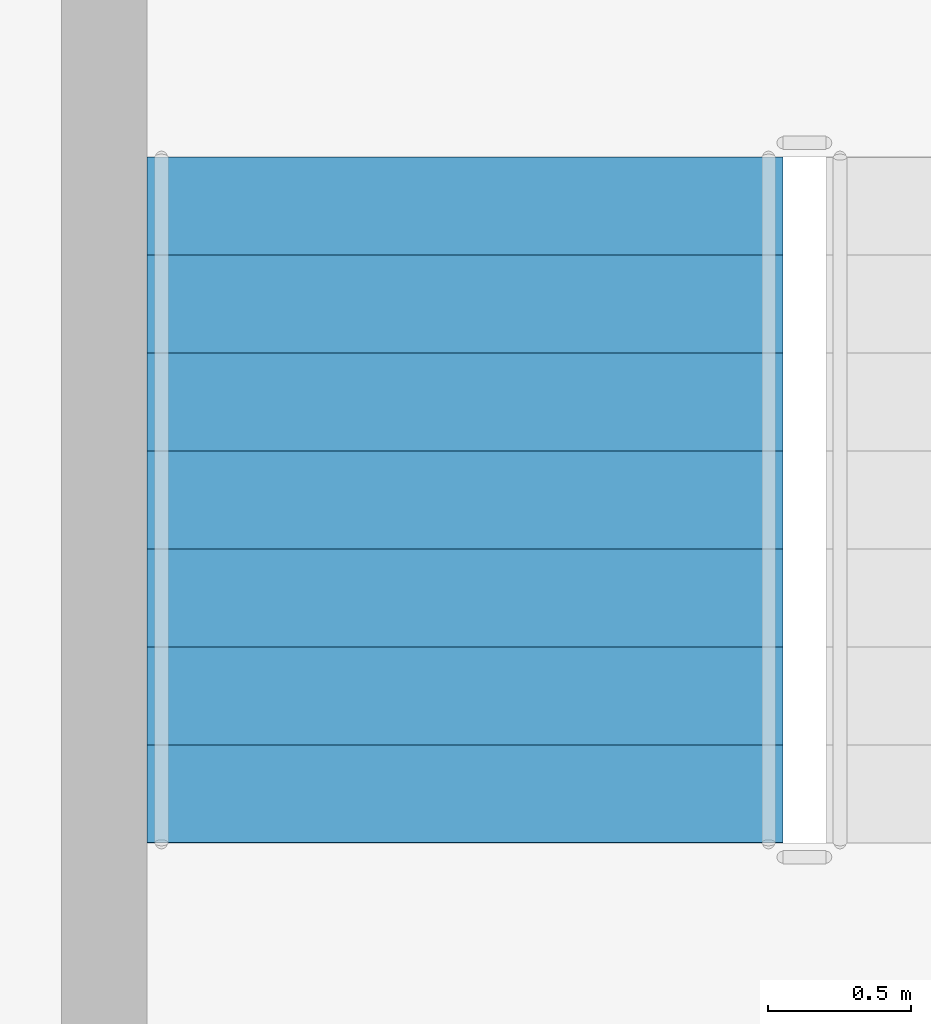
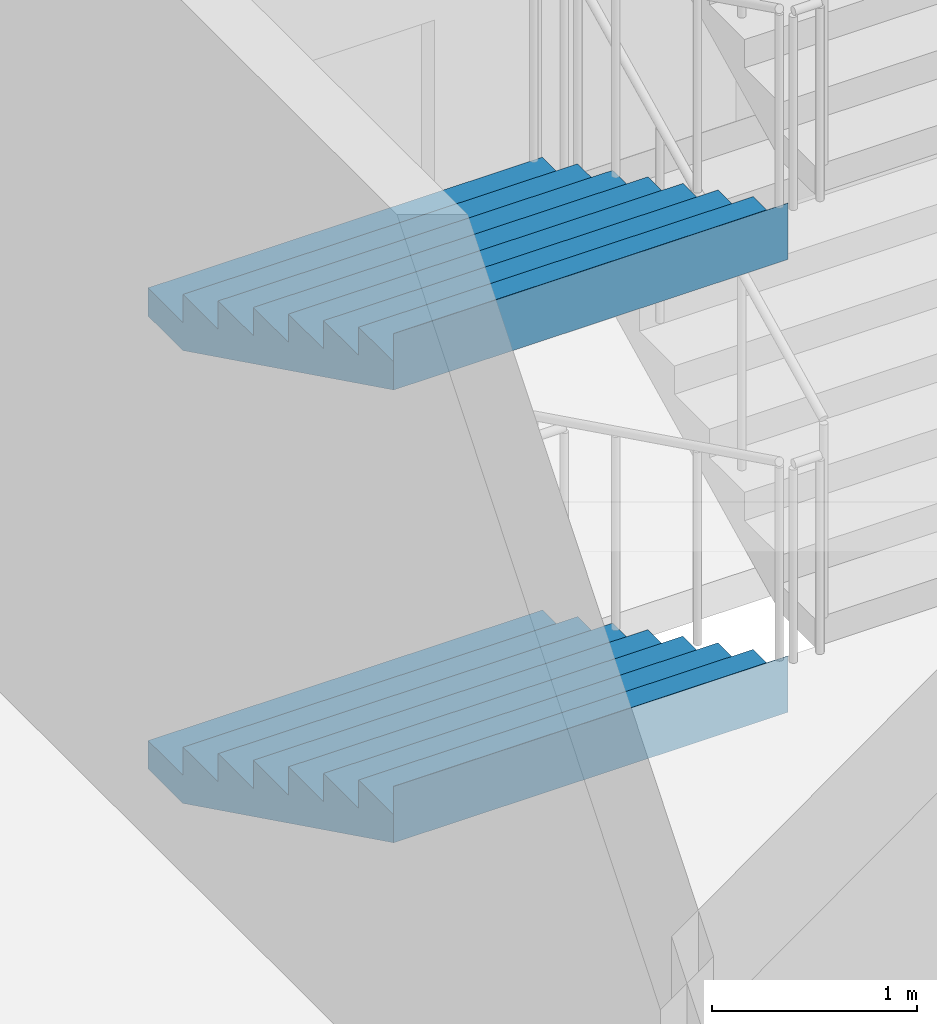
# One storey, part 31 of 42: 2 stair flights, 1 element without a shape of its own.
"""IFC4 building model written with IfcOpenShell, lengths in metres."""

from ifc_helpers import new_model, si_unit, direction, frame, origin, place, context, subcontext, project, spatial, triangles, material, type_object, element, aggregate, save


model = new_model("IFC4")

# Units and contexts
model_context = context("Model", 3, precision=1e-05, world=origin(), true_north=direction((0.0, 1.0)))
body_context = subcontext(model_context, "Body", "Model", "MODEL_VIEW")
ifc_project = project(units=[si_unit("LENGTHUNIT", "METRE"), si_unit("AREAUNIT", "SQUARE_METRE"), si_unit("VOLUMEUNIT", "CUBIC_METRE"), si_unit("PLANEANGLEUNIT", "RADIAN"), si_unit("MASSUNIT", "GRAM", prefix="KILO")], contexts=[model_context])

# Site, building, storey
site_placement = place(None, origin())
site = spatial("IfcSite", under=ifc_project, at=site_placement, CompositionType="ELEMENT")
building_placement = place(site_placement, origin())
building = spatial("IfcBuilding", under=site, at=building_placement, Name="Sahrelin Media Tower", CompositionType="ELEMENT")
storey_placement = place(building_placement, frame((0.0, 0.0, 26.0)))
storey = spatial("IfcBuildingStorey", under=building, at=storey_placement, Name="L03", CompositionType="ELEMENT", Elevation=26.0)

# Stair, stair flights
ifc_material = material(Name="Concrete C40/50", Category="concrete")
stair_type = type_object("IfcStairType", Name="Podium stair 2225", PredefinedType="HALF_TURN_STAIR", material=ifc_material)
stair_placement = place(storey_placement, origin())
stair = element("IfcStair", 1, at=stair_placement, inside=storey, type_object=stair_type, Name="L03 Podium stair PS4", PredefinedType="HALF_TURN_STAIR")
stair_flight_type = type_object("IfcStairFlightType", Name="Stair flight 2225", PredefinedType="STRAIGHT", material=ifc_material)
stair_flight_1_placement = place(storey_placement, frame((9.46240234375, -30.625, 0.0), z_axis=(0.0, 0.0, 1.0), x_axis=(0.0, -1.0, 0.0)))
stair_flight_1 = element("IfcStairFlight", 2, at=stair_flight_1_placement, type_object=stair_flight_type, Name="PS4 flight 1", NumberOfRisers=8, NumberOfTreads=7, PredefinedType="STRAIGHT", RiserHeight=0.16875, TreadLength=0.342857143, context=body_context, shape_type="Tessellation", body=[
    triangles([(0.33935546875, 1.112548828125, 0.0), (0.33935546875, 0.794677734375, 0.0), (0.33935546875, 0.476806640625, 0.0), (0.33935546875, 0.158935546875, 0.0), (0.33935546875, -0.158935546875, 0.0), (0.33935546875, -0.476806640625, 0.0), (0.33935546875, -0.794677734375, 0.0), (0.33935546875, -1.112548828125, 0.0), (2.39990234375, 1.112548828125, 1.01416015625), (2.39990234375, 0.794677734375, 1.01416015625), (2.39990234375, 0.476806640625, 1.01416015625), (2.39990234375, 0.158935546875, 1.01416015625), (2.39990234375, -0.158935546875, 1.01416015625), (2.39990234375, -0.476806640625, 1.01416015625), (2.39990234375, -0.794677734375, 1.01416015625), (2.39990234375, -1.112548828125, 1.01416015625), (2.39990234375, 1.112548828125, 1.35009765625), (2.39990234375, 0.794677734375, 1.35009765625), (2.39990234375, 0.476806640625, 1.35009765625), (2.39990234375, 0.158935546875, 1.35009765625), (2.39990234375, -0.158935546875, 1.35009765625), (2.39990234375, -0.476806640625, 1.35009765625), (2.39990234375, -0.794677734375, 1.35009765625), (2.39990234375, -1.112548828125, 1.35009765625), (2.39794921875, 1.112548828125, 1.35009765625), (2.39794921875, 0.794677734375, 1.35009765625), (2.39794921875, 0.476806640625, 1.35009765625), (2.39794921875, 0.158935546875, 1.35009765625), (2.39794921875, -0.158935546875, 1.35009765625), (2.39794921875, -0.476806640625, 1.35009765625), (2.39794921875, -0.794677734375, 1.35009765625), (2.39794921875, -1.112548828125, 1.35009765625), (2.39794921875, 1.112548828125, 1.18115234375), (2.39794921875, 0.794677734375, 1.18115234375), (2.39794921875, 0.476806640625, 1.18115234375), (2.39794921875, 0.158935546875, 1.18115234375), (2.39794921875, -0.158935546875, 1.18115234375), (2.39794921875, -0.476806640625, 1.18115234375), (2.39794921875, -0.794677734375, 1.18115234375), (2.39794921875, -1.112548828125, 1.18115234375), (2.05712890625, 1.112548828125, 1.18115234375), (2.05712890625, 0.794677734375, 1.18115234375), (2.05712890625, 0.476806640625, 1.18115234375), (2.05712890625, 0.158935546875, 1.18115234375), (2.05712890625, -0.158935546875, 1.18115234375), (2.05712890625, -0.476806640625, 1.18115234375), (2.05712890625, -0.794677734375, 1.18115234375), (2.05712890625, -1.112548828125, 1.18115234375), (2.05712890625, 1.112548828125, 1.012451171875), (2.05712890625, 0.794677734375, 1.012451171875), (2.05712890625, 0.476806640625, 1.012451171875), (2.05712890625, 0.158935546875, 1.012451171875), (2.05712890625, -0.158935546875, 1.012451171875), (2.05712890625, -0.476806640625, 1.012451171875), (2.05712890625, -0.794677734375, 1.012451171875), (2.05712890625, -1.112548828125, 1.012451171875), (1.71435546875, 1.112548828125, 1.012451171875), (1.71435546875, 0.794677734375, 1.012451171875), (1.71435546875, 0.476806640625, 1.012451171875), (1.71435546875, 0.158935546875, 1.012451171875), (1.71435546875, -0.158935546875, 1.012451171875), (1.71435546875, -0.476806640625, 1.012451171875), (1.71435546875, -0.794677734375, 1.012451171875), (1.71435546875, -1.112548828125, 1.012451171875), (1.71435546875, 1.112548828125, 0.84375), (1.71435546875, 0.794677734375, 0.84375), (1.71435546875, 0.476806640625, 0.84375), (1.71435546875, 0.158935546875, 0.84375), (1.71435546875, -0.158935546875, 0.84375), (1.71435546875, -0.476806640625, 0.84375), (1.71435546875, -0.794677734375, 0.84375), (1.71435546875, -1.112548828125, 0.84375), (1.371337890625, 1.112548828125, 0.84375), (1.371337890625, 0.794677734375, 0.84375), (1.371337890625, 0.476806640625, 0.84375), (1.371337890625, 0.158935546875, 0.84375), (1.371337890625, -0.158935546875, 0.84375), (1.371337890625, -0.476806640625, 0.84375), (1.371337890625, -0.794677734375, 0.84375), (1.371337890625, -1.112548828125, 0.84375), (1.371337890625, 1.112548828125, 0.675048828125), (1.371337890625, 0.794677734375, 0.675048828125), (1.371337890625, 0.476806640625, 0.675048828125), (1.371337890625, 0.158935546875, 0.675048828125), (1.371337890625, -0.158935546875, 0.675048828125), (1.371337890625, -0.476806640625, 0.675048828125), (1.371337890625, -0.794677734375, 0.675048828125), (1.371337890625, -1.112548828125, 0.675048828125), (1.028564453125, 1.112548828125, 0.675048828125), (1.028564453125, 0.794677734375, 0.675048828125), (1.028564453125, 0.476806640625, 0.675048828125), (1.028564453125, 0.158935546875, 0.675048828125), (1.028564453125, -0.158935546875, 0.675048828125), (1.028564453125, -0.476806640625, 0.675048828125), (1.028564453125, -0.794677734375, 0.675048828125), (1.028564453125, -1.112548828125, 0.675048828125), (1.028564453125, 1.112548828125, 0.50634765625), (1.028564453125, 0.794677734375, 0.50634765625), (1.028564453125, 0.476806640625, 0.50634765625), (1.028564453125, 0.158935546875, 0.50634765625), (1.028564453125, -0.158935546875, 0.50634765625), (1.028564453125, -0.476806640625, 0.50634765625), (1.028564453125, -0.794677734375, 0.50634765625), (1.028564453125, -1.112548828125, 0.50634765625), (0.685791015625, 1.112548828125, 0.50634765625), (0.685791015625, 0.794677734375, 0.50634765625), (0.685791015625, 0.476806640625, 0.50634765625), (0.685791015625, 0.158935546875, 0.50634765625), (0.685791015625, -0.158935546875, 0.50634765625), (0.685791015625, -0.476806640625, 0.50634765625), (0.685791015625, -0.794677734375, 0.50634765625), (0.685791015625, -1.112548828125, 0.50634765625), (0.685791015625, 1.112548828125, 0.33740234375), (0.685791015625, 0.794677734375, 0.33740234375), (0.685791015625, 0.476806640625, 0.33740234375), (0.685791015625, 0.158935546875, 0.33740234375), (0.685791015625, -0.158935546875, 0.33740234375), (0.685791015625, -0.476806640625, 0.33740234375), (0.685791015625, -0.794677734375, 0.33740234375), (0.685791015625, -1.112548828125, 0.33740234375), (0.3427734375, 1.112548828125, 0.33740234375), (0.3427734375, 0.794677734375, 0.33740234375), (0.3427734375, 0.476806640625, 0.33740234375), (0.3427734375, 0.158935546875, 0.33740234375), (0.3427734375, -0.158935546875, 0.33740234375), (0.3427734375, -0.476806640625, 0.33740234375), (0.3427734375, -0.794677734375, 0.33740234375), (0.3427734375, -1.112548828125, 0.33740234375), (0.3427734375, 1.112548828125, 0.168701171875), (0.3427734375, 0.794677734375, 0.168701171875), (0.3427734375, 0.476806640625, 0.168701171875), (0.3427734375, 0.158935546875, 0.168701171875), (0.3427734375, -0.158935546875, 0.168701171875), (0.3427734375, -0.476806640625, 0.168701171875), (0.3427734375, -0.794677734375, 0.168701171875), (0.3427734375, -1.112548828125, 0.168701171875), (0.0, 1.112548828125, 0.168701171875), (0.0, 0.794677734375, 0.168701171875), (0.0, 0.476806640625, 0.168701171875), (0.0, 0.158935546875, 0.168701171875), (0.0, -0.158935546875, 0.168701171875), (0.0, -0.476806640625, 0.168701171875), (0.0, -0.794677734375, 0.168701171875), (0.0, -1.112548828125, 0.168701171875), (0.0, 1.112548828125, 0.0), (0.0, 0.794677734375, 0.0), (0.0, 0.476806640625, 0.0), (0.0, 0.158935546875, 0.0), (0.0, -0.158935546875, 0.0), (0.0, -0.476806640625, 0.0), (0.0, -0.794677734375, 0.0), (0.0, -1.112548828125, 0.0)], [[1, 9, 10], [1, 10, 2], [2, 10, 11], [2, 11, 3], [3, 11, 12], [3, 12, 4], [4, 12, 13], [4, 13, 5], [5, 13, 14], [5, 14, 6], [6, 14, 15], [6, 15, 7], [7, 15, 16], [7, 16, 8], [9, 17, 18], [9, 18, 10], [10, 18, 19], [10, 19, 11], [11, 19, 20], [11, 20, 12], [12, 20, 21], [12, 21, 13], [13, 21, 22], [13, 22, 14], [14, 22, 23], [14, 23, 15], [15, 23, 24], [15, 24, 16], [17, 25, 26], [17, 26, 18], [18, 26, 27], [18, 27, 19], [19, 27, 28], [19, 28, 20], [20, 28, 29], [20, 29, 21], [21, 29, 30], [21, 30, 22], [22, 30, 31], [22, 31, 23], [23, 31, 32], [23, 32, 24], [25, 33, 34], [25, 34, 26], [26, 34, 35], [26, 35, 27], [27, 35, 36], [27, 36, 28], [28, 36, 37], [28, 37, 29], [29, 37, 38], [29, 38, 30], [30, 38, 39], [30, 39, 31], [31, 39, 40], [31, 40, 32], [33, 41, 42], [33, 42, 34], [34, 42, 43], [34, 43, 35], [35, 43, 44], [35, 44, 36], [36, 44, 45], [36, 45, 37], [37, 45, 46], [37, 46, 38], [38, 46, 47], [38, 47, 39], [39, 47, 48], [39, 48, 40], [41, 49, 50], [41, 50, 42], [42, 50, 51], [42, 51, 43], [43, 51, 52], [43, 52, 44], [44, 52, 53], [44, 53, 45], [45, 53, 54], [45, 54, 46], [46, 54, 55], [46, 55, 47], [47, 55, 56], [47, 56, 48], [49, 57, 58], [49, 58, 50], [50, 58, 59], [50, 59, 51], [51, 59, 60], [51, 60, 52], [52, 60, 61], [52, 61, 53], [53, 61, 62], [53, 62, 54], [54, 62, 63], [54, 63, 55], [55, 63, 64], [55, 64, 56], [57, 65, 66], [57, 66, 58], [58, 66, 67], [58, 67, 59], [59, 67, 68], [59, 68, 60], [60, 68, 69], [60, 69, 61], [61, 69, 70], [61, 70, 62], [62, 70, 71], [62, 71, 63], [63, 71, 72], [63, 72, 64], [65, 73, 74], [65, 74, 66], [66, 74, 75], [66, 75, 67], [67, 75, 76], [67, 76, 68], [68, 76, 77], [68, 77, 69], [69, 77, 78], [69, 78, 70], [70, 78, 79], [70, 79, 71], [71, 79, 80], [71, 80, 72], [73, 81, 82], [73, 82, 74], [74, 82, 83], [74, 83, 75], [75, 83, 84], [75, 84, 76], [76, 84, 85], [76, 85, 77], [77, 85, 86], [77, 86, 78], [78, 86, 87], [78, 87, 79], [79, 87, 88], [79, 88, 80], [81, 89, 90], [81, 90, 82], [82, 90, 91], [82, 91, 83], [83, 91, 92], [83, 92, 84], [84, 92, 93], [84, 93, 85], [85, 93, 94], [85, 94, 86], [86, 94, 95], [86, 95, 87], [87, 95, 96], [87, 96, 88], [89, 97, 98], [89, 98, 90], [90, 98, 99], [90, 99, 91], [91, 99, 100], [91, 100, 92], [92, 100, 101], [92, 101, 93], [93, 101, 102], [93, 102, 94], [94, 102, 103], [94, 103, 95], [95, 103, 104], [95, 104, 96], [97, 105, 106], [97, 106, 98], [98, 106, 107], [98, 107, 99], [99, 107, 108], [99, 108, 100], [100, 108, 109], [100, 109, 101], [101, 109, 110], [101, 110, 102], [102, 110, 111], [102, 111, 103], [103, 111, 112], [103, 112, 104], [105, 113, 114], [105, 114, 106], [106, 114, 115], [106, 115, 107], [107, 115, 116], [107, 116, 108], [108, 116, 117], [108, 117, 109], [109, 117, 118], [109, 118, 110], [110, 118, 119], [110, 119, 111], [111, 119, 120], [111, 120, 112], [113, 121, 122], [113, 122, 114], [114, 122, 123], [114, 123, 115], [115, 123, 124], [115, 124, 116], [116, 124, 125], [116, 125, 117], [117, 125, 126], [117, 126, 118], [118, 126, 127], [118, 127, 119], [119, 127, 128], [119, 128, 120], [121, 129, 130], [121, 130, 122], [122, 130, 131], [122, 131, 123], [123, 131, 132], [123, 132, 124], [124, 132, 133], [124, 133, 125], [125, 133, 134], [125, 134, 126], [126, 134, 135], [126, 135, 127], [127, 135, 136], [127, 136, 128], [129, 137, 138], [129, 138, 130], [130, 138, 139], [130, 139, 131], [131, 139, 140], [131, 140, 132], [132, 140, 141], [132, 141, 133], [133, 141, 142], [133, 142, 134], [134, 142, 143], [134, 143, 135], [135, 143, 144], [135, 144, 136], [137, 145, 146], [137, 146, 138], [138, 146, 147], [138, 147, 139], [139, 147, 148], [139, 148, 140], [140, 148, 149], [140, 149, 141], [141, 149, 150], [141, 150, 142], [142, 150, 151], [142, 151, 143], [143, 151, 152], [143, 152, 144], [145, 1, 2], [145, 2, 146], [146, 2, 3], [146, 3, 147], [147, 3, 4], [147, 4, 148], [148, 4, 5], [148, 5, 149], [149, 5, 6], [149, 6, 150], [150, 6, 7], [150, 7, 151], [151, 7, 8], [151, 8, 152], [8, 144, 152], [1, 145, 137], [136, 120, 128], [129, 121, 113], [120, 104, 112], [113, 105, 97], [104, 88, 96], [97, 89, 81], [88, 72, 80], [81, 73, 65], [72, 56, 64], [65, 57, 49], [56, 40, 48], [49, 41, 33], [40, 24, 32], [33, 25, 17], [8, 136, 144], [1, 137, 129], [8, 88, 104], [1, 97, 81], [40, 16, 24], [33, 17, 9], [120, 136, 8], [113, 1, 129], [16, 72, 88], [9, 81, 65], [56, 16, 40], [49, 33, 9], [104, 120, 8], [97, 1, 113], [72, 16, 56], [65, 49, 9], [8, 16, 88], [1, 81, 9]], closed=True),
])
stair_flight_2_placement = place(storey_placement, frame((9.46240234375, -30.625, 2.699951171875), z_axis=(0.0, 0.0, 1.0), x_axis=(0.0, -1.0, 0.0)))
stair_flight_2 = element("IfcStairFlight", 3, at=stair_flight_2_placement, type_object=stair_flight_type, Name="PS4 flight 3", NumberOfRisers=8, NumberOfTreads=7, PredefinedType="STRAIGHT", RiserHeight=0.16875, TreadLength=0.342857143, context=body_context, shape_type="Tessellation", body=[
    triangles([(0.33935546875, 1.112548828125, 0.0), (0.33935546875, 0.794677734375, 0.0), (0.33935546875, 0.476806640625, 0.0), (0.33935546875, 0.158935546875, 0.0), (0.33935546875, -0.158935546875, 0.0), (0.33935546875, -0.476806640625, 0.0), (0.33935546875, -0.794677734375, 0.0), (0.33935546875, -1.112548828125, 0.0), (2.39990234375, 1.112548828125, 1.01416015625), (2.39990234375, 0.794677734375, 1.01416015625), (2.39990234375, 0.476806640625, 1.01416015625), (2.39990234375, 0.158935546875, 1.01416015625), (2.39990234375, -0.158935546875, 1.01416015625), (2.39990234375, -0.476806640625, 1.01416015625), (2.39990234375, -0.794677734375, 1.01416015625), (2.39990234375, -1.112548828125, 1.01416015625), (2.39990234375, 1.112548828125, 1.35009765625), (2.39990234375, 0.794677734375, 1.35009765625), (2.39990234375, 0.476806640625, 1.35009765625), (2.39990234375, 0.158935546875, 1.35009765625), (2.39990234375, -0.158935546875, 1.35009765625), (2.39990234375, -0.476806640625, 1.35009765625), (2.39990234375, -0.794677734375, 1.35009765625), (2.39990234375, -1.112548828125, 1.35009765625), (2.39794921875, 1.112548828125, 1.35009765625), (2.39794921875, 0.794677734375, 1.35009765625), (2.39794921875, 0.476806640625, 1.35009765625), (2.39794921875, 0.158935546875, 1.35009765625), (2.39794921875, -0.158935546875, 1.35009765625), (2.39794921875, -0.476806640625, 1.35009765625), (2.39794921875, -0.794677734375, 1.35009765625), (2.39794921875, -1.112548828125, 1.35009765625), (2.39794921875, 1.112548828125, 1.18115234375), (2.39794921875, 0.794677734375, 1.18115234375), (2.39794921875, 0.476806640625, 1.18115234375), (2.39794921875, 0.158935546875, 1.18115234375), (2.39794921875, -0.158935546875, 1.18115234375), (2.39794921875, -0.476806640625, 1.18115234375), (2.39794921875, -0.794677734375, 1.18115234375), (2.39794921875, -1.112548828125, 1.18115234375), (2.05712890625, 1.112548828125, 1.18115234375), (2.05712890625, 0.794677734375, 1.18115234375), (2.05712890625, 0.476806640625, 1.18115234375), (2.05712890625, 0.158935546875, 1.18115234375), (2.05712890625, -0.158935546875, 1.18115234375), (2.05712890625, -0.476806640625, 1.18115234375), (2.05712890625, -0.794677734375, 1.18115234375), (2.05712890625, -1.112548828125, 1.18115234375), (2.05712890625, 1.112548828125, 1.012451171875), (2.05712890625, 0.794677734375, 1.012451171875), (2.05712890625, 0.476806640625, 1.012451171875), (2.05712890625, 0.158935546875, 1.012451171875), (2.05712890625, -0.158935546875, 1.012451171875), (2.05712890625, -0.476806640625, 1.012451171875), (2.05712890625, -0.794677734375, 1.012451171875), (2.05712890625, -1.112548828125, 1.012451171875), (1.71435546875, 1.112548828125, 1.012451171875), (1.71435546875, 0.794677734375, 1.012451171875), (1.71435546875, 0.476806640625, 1.012451171875), (1.71435546875, 0.158935546875, 1.012451171875), (1.71435546875, -0.158935546875, 1.012451171875), (1.71435546875, -0.476806640625, 1.012451171875), (1.71435546875, -0.794677734375, 1.012451171875), (1.71435546875, -1.112548828125, 1.012451171875), (1.71435546875, 1.112548828125, 0.84375), (1.71435546875, 0.794677734375, 0.84375), (1.71435546875, 0.476806640625, 0.84375), (1.71435546875, 0.158935546875, 0.84375), (1.71435546875, -0.158935546875, 0.84375), (1.71435546875, -0.476806640625, 0.84375), (1.71435546875, -0.794677734375, 0.84375), (1.71435546875, -1.112548828125, 0.84375), (1.371337890625, 1.112548828125, 0.84375), (1.371337890625, 0.794677734375, 0.84375), (1.371337890625, 0.476806640625, 0.84375), (1.371337890625, 0.158935546875, 0.84375), (1.371337890625, -0.158935546875, 0.84375), (1.371337890625, -0.476806640625, 0.84375), (1.371337890625, -0.794677734375, 0.84375), (1.371337890625, -1.112548828125, 0.84375), (1.371337890625, 1.112548828125, 0.675048828125), (1.371337890625, 0.794677734375, 0.675048828125), (1.371337890625, 0.476806640625, 0.675048828125), (1.371337890625, 0.158935546875, 0.675048828125), (1.371337890625, -0.158935546875, 0.675048828125), (1.371337890625, -0.476806640625, 0.675048828125), (1.371337890625, -0.794677734375, 0.675048828125), (1.371337890625, -1.112548828125, 0.675048828125), (1.028564453125, 1.112548828125, 0.675048828125), (1.028564453125, 0.794677734375, 0.675048828125), (1.028564453125, 0.476806640625, 0.675048828125), (1.028564453125, 0.158935546875, 0.675048828125), (1.028564453125, -0.158935546875, 0.675048828125), (1.028564453125, -0.476806640625, 0.675048828125), (1.028564453125, -0.794677734375, 0.675048828125), (1.028564453125, -1.112548828125, 0.675048828125), (1.028564453125, 1.112548828125, 0.50634765625), (1.028564453125, 0.794677734375, 0.50634765625), (1.028564453125, 0.476806640625, 0.50634765625), (1.028564453125, 0.158935546875, 0.50634765625), (1.028564453125, -0.158935546875, 0.50634765625), (1.028564453125, -0.476806640625, 0.50634765625), (1.028564453125, -0.794677734375, 0.50634765625), (1.028564453125, -1.112548828125, 0.50634765625), (0.685791015625, 1.112548828125, 0.50634765625), (0.685791015625, 0.794677734375, 0.50634765625), (0.685791015625, 0.476806640625, 0.50634765625), (0.685791015625, 0.158935546875, 0.50634765625), (0.685791015625, -0.158935546875, 0.50634765625), (0.685791015625, -0.476806640625, 0.50634765625), (0.685791015625, -0.794677734375, 0.50634765625), (0.685791015625, -1.112548828125, 0.50634765625), (0.685791015625, 1.112548828125, 0.33740234375), (0.685791015625, 0.794677734375, 0.33740234375), (0.685791015625, 0.476806640625, 0.33740234375), (0.685791015625, 0.158935546875, 0.33740234375), (0.685791015625, -0.158935546875, 0.33740234375), (0.685791015625, -0.476806640625, 0.33740234375), (0.685791015625, -0.794677734375, 0.33740234375), (0.685791015625, -1.112548828125, 0.33740234375), (0.3427734375, 1.112548828125, 0.33740234375), (0.3427734375, 0.794677734375, 0.33740234375), (0.3427734375, 0.476806640625, 0.33740234375), (0.3427734375, 0.158935546875, 0.33740234375), (0.3427734375, -0.158935546875, 0.33740234375), (0.3427734375, -0.476806640625, 0.33740234375), (0.3427734375, -0.794677734375, 0.33740234375), (0.3427734375, -1.112548828125, 0.33740234375), (0.3427734375, 1.112548828125, 0.168701171875), (0.3427734375, 0.794677734375, 0.168701171875), (0.3427734375, 0.476806640625, 0.168701171875), (0.3427734375, 0.158935546875, 0.168701171875), (0.3427734375, -0.158935546875, 0.168701171875), (0.3427734375, -0.476806640625, 0.168701171875), (0.3427734375, -0.794677734375, 0.168701171875), (0.3427734375, -1.112548828125, 0.168701171875), (0.0, 1.112548828125, 0.168701171875), (0.0, 0.794677734375, 0.168701171875), (0.0, 0.476806640625, 0.168701171875), (0.0, 0.158935546875, 0.168701171875), (0.0, -0.158935546875, 0.168701171875), (0.0, -0.476806640625, 0.168701171875), (0.0, -0.794677734375, 0.168701171875), (0.0, -1.112548828125, 0.168701171875), (0.0, 1.112548828125, 0.0), (0.0, 0.794677734375, 0.0), (0.0, 0.476806640625, 0.0), (0.0, 0.158935546875, 0.0), (0.0, -0.158935546875, 0.0), (0.0, -0.476806640625, 0.0), (0.0, -0.794677734375, 0.0), (0.0, -1.112548828125, 0.0)], [[1, 9, 10], [1, 10, 2], [2, 10, 11], [2, 11, 3], [3, 11, 12], [3, 12, 4], [4, 12, 13], [4, 13, 5], [5, 13, 14], [5, 14, 6], [6, 14, 15], [6, 15, 7], [7, 15, 16], [7, 16, 8], [9, 17, 18], [9, 18, 10], [10, 18, 19], [10, 19, 11], [11, 19, 20], [11, 20, 12], [12, 20, 21], [12, 21, 13], [13, 21, 22], [13, 22, 14], [14, 22, 23], [14, 23, 15], [15, 23, 24], [15, 24, 16], [17, 25, 26], [17, 26, 18], [18, 26, 27], [18, 27, 19], [19, 27, 28], [19, 28, 20], [20, 28, 29], [20, 29, 21], [21, 29, 30], [21, 30, 22], [22, 30, 31], [22, 31, 23], [23, 31, 32], [23, 32, 24], [25, 33, 34], [25, 34, 26], [26, 34, 35], [26, 35, 27], [27, 35, 36], [27, 36, 28], [28, 36, 37], [28, 37, 29], [29, 37, 38], [29, 38, 30], [30, 38, 39], [30, 39, 31], [31, 39, 40], [31, 40, 32], [33, 41, 42], [33, 42, 34], [34, 42, 43], [34, 43, 35], [35, 43, 44], [35, 44, 36], [36, 44, 45], [36, 45, 37], [37, 45, 46], [37, 46, 38], [38, 46, 47], [38, 47, 39], [39, 47, 48], [39, 48, 40], [41, 49, 50], [41, 50, 42], [42, 50, 51], [42, 51, 43], [43, 51, 52], [43, 52, 44], [44, 52, 53], [44, 53, 45], [45, 53, 54], [45, 54, 46], [46, 54, 55], [46, 55, 47], [47, 55, 56], [47, 56, 48], [49, 57, 58], [49, 58, 50], [50, 58, 59], [50, 59, 51], [51, 59, 60], [51, 60, 52], [52, 60, 61], [52, 61, 53], [53, 61, 62], [53, 62, 54], [54, 62, 63], [54, 63, 55], [55, 63, 64], [55, 64, 56], [57, 65, 66], [57, 66, 58], [58, 66, 67], [58, 67, 59], [59, 67, 68], [59, 68, 60], [60, 68, 69], [60, 69, 61], [61, 69, 70], [61, 70, 62], [62, 70, 71], [62, 71, 63], [63, 71, 72], [63, 72, 64], [65, 73, 74], [65, 74, 66], [66, 74, 75], [66, 75, 67], [67, 75, 76], [67, 76, 68], [68, 76, 77], [68, 77, 69], [69, 77, 78], [69, 78, 70], [70, 78, 79], [70, 79, 71], [71, 79, 80], [71, 80, 72], [73, 81, 82], [73, 82, 74], [74, 82, 83], [74, 83, 75], [75, 83, 84], [75, 84, 76], [76, 84, 85], [76, 85, 77], [77, 85, 86], [77, 86, 78], [78, 86, 87], [78, 87, 79], [79, 87, 88], [79, 88, 80], [81, 89, 90], [81, 90, 82], [82, 90, 91], [82, 91, 83], [83, 91, 92], [83, 92, 84], [84, 92, 93], [84, 93, 85], [85, 93, 94], [85, 94, 86], [86, 94, 95], [86, 95, 87], [87, 95, 96], [87, 96, 88], [89, 97, 98], [89, 98, 90], [90, 98, 99], [90, 99, 91], [91, 99, 100], [91, 100, 92], [92, 100, 101], [92, 101, 93], [93, 101, 102], [93, 102, 94], [94, 102, 103], [94, 103, 95], [95, 103, 104], [95, 104, 96], [97, 105, 106], [97, 106, 98], [98, 106, 107], [98, 107, 99], [99, 107, 108], [99, 108, 100], [100, 108, 109], [100, 109, 101], [101, 109, 110], [101, 110, 102], [102, 110, 111], [102, 111, 103], [103, 111, 112], [103, 112, 104], [105, 113, 114], [105, 114, 106], [106, 114, 115], [106, 115, 107], [107, 115, 116], [107, 116, 108], [108, 116, 117], [108, 117, 109], [109, 117, 118], [109, 118, 110], [110, 118, 119], [110, 119, 111], [111, 119, 120], [111, 120, 112], [113, 121, 122], [113, 122, 114], [114, 122, 123], [114, 123, 115], [115, 123, 124], [115, 124, 116], [116, 124, 125], [116, 125, 117], [117, 125, 126], [117, 126, 118], [118, 126, 127], [118, 127, 119], [119, 127, 128], [119, 128, 120], [121, 129, 130], [121, 130, 122], [122, 130, 131], [122, 131, 123], [123, 131, 132], [123, 132, 124], [124, 132, 133], [124, 133, 125], [125, 133, 134], [125, 134, 126], [126, 134, 135], [126, 135, 127], [127, 135, 136], [127, 136, 128], [129, 137, 138], [129, 138, 130], [130, 138, 139], [130, 139, 131], [131, 139, 140], [131, 140, 132], [132, 140, 141], [132, 141, 133], [133, 141, 142], [133, 142, 134], [134, 142, 143], [134, 143, 135], [135, 143, 144], [135, 144, 136], [137, 145, 146], [137, 146, 138], [138, 146, 147], [138, 147, 139], [139, 147, 148], [139, 148, 140], [140, 148, 149], [140, 149, 141], [141, 149, 150], [141, 150, 142], [142, 150, 151], [142, 151, 143], [143, 151, 152], [143, 152, 144], [145, 1, 2], [145, 2, 146], [146, 2, 3], [146, 3, 147], [147, 3, 4], [147, 4, 148], [148, 4, 5], [148, 5, 149], [149, 5, 6], [149, 6, 150], [150, 6, 7], [150, 7, 151], [151, 7, 8], [151, 8, 152], [8, 144, 152], [1, 145, 137], [136, 120, 128], [129, 121, 113], [120, 104, 112], [113, 105, 97], [104, 88, 96], [97, 89, 81], [88, 72, 80], [81, 73, 65], [72, 56, 64], [65, 57, 49], [56, 40, 48], [49, 41, 33], [40, 24, 32], [33, 25, 17], [8, 136, 144], [1, 137, 129], [8, 88, 104], [1, 97, 81], [40, 16, 24], [33, 17, 9], [120, 136, 8], [113, 1, 129], [16, 72, 88], [9, 81, 65], [56, 16, 40], [49, 33, 9], [104, 120, 8], [97, 1, 113], [72, 16, 56], [65, 49, 9], [8, 16, 88], [1, 81, 9]], closed=True),
])
aggregate(stair, [stair_flight_1, stair_flight_2])

save(model, "model.ifc")
